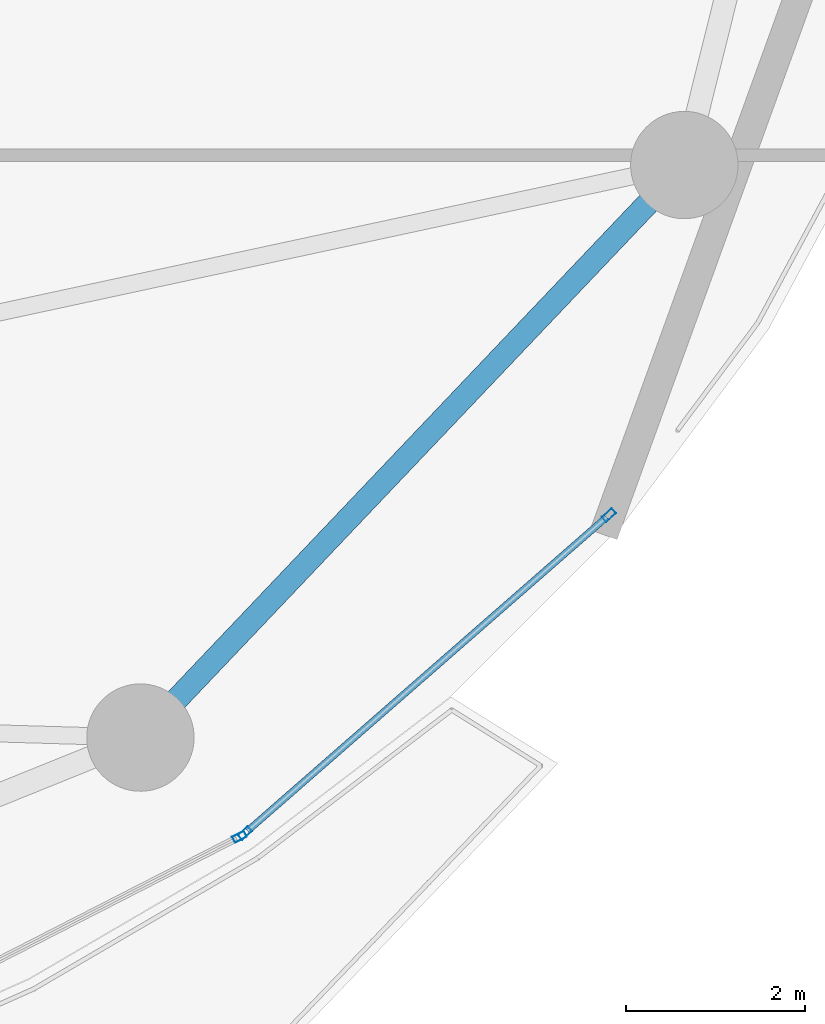
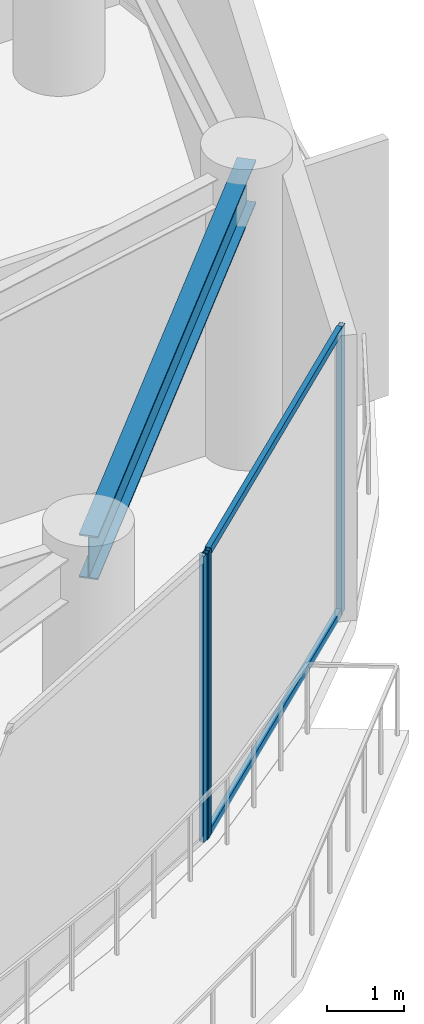
# One storey, part 13 of 30: 5 members, 1 beam, 2 elements without a shape of their own.
"""IFC4 building model written with IfcOpenShell, lengths in metres."""

from ifc_helpers import new_model, si_unit, direction, frame, origin, origin_2d, place, context, subcontext, project, spatial, hollow_rectangle, i_section, extrude, material, layer, layer_set, material_profile, profile_set, type_object, element, aggregate, save


model = new_model("IFC4")

# Units and contexts
model_context = context("Model", 3, precision=1e-05, world=origin(), true_north=direction((0.0, 1.0)))
body_context = subcontext(model_context, "Body", "Model", "MODEL_VIEW")
ifc_project = project(units=[si_unit("LENGTHUNIT", "METRE"), si_unit("AREAUNIT", "SQUARE_METRE"), si_unit("VOLUMEUNIT", "CUBIC_METRE"), si_unit("PLANEANGLEUNIT", "RADIAN"), si_unit("MASSUNIT", "GRAM", prefix="KILO")], contexts=[model_context])

# Site, building, storey
site_placement = place(None, origin())
site = spatial("IfcSite", under=ifc_project, at=site_placement, CompositionType="ELEMENT")
building_placement = place(site_placement, origin())
building = spatial("IfcBuilding", under=site, at=building_placement, Name="Kazevale Care Tower and Concert Hall", CompositionType="ELEMENT")
storey_placement = place(building_placement, frame((0.0, 0.0, 97.800048828125)))
storey = spatial("IfcBuildingStorey", under=building, at=storey_placement, Name="L25", CompositionType="ELEMENT", Elevation=97.800048828125)

# Curtain wall, members
ifc_material_1 = material(Name="Aluminium 6063-T6 and Low-E Glass", Category="aluminium")
ifc_layer = layer(ifc_material_1, 0.179931640625)
ifc_layer_set = layer_set([ifc_layer], Name="Aluminium 6063-T6 and Low-E Glass")
curtain_wall_type = type_object("IfcCurtainWallType", Name="Sheltered Concave Balcony Curtain Wall CW-5", PredefinedType="NOTDEFINED", material=ifc_layer_set)
curtain_wall_1_placement = place(storey_placement, origin())
curtain_wall_1 = element("IfcCurtainWall", 1, at=curtain_wall_1_placement, inside=storey, type_object=curtain_wall_type, Name="cw:L25:f02", PredefinedType="NOTDEFINED")
ifc_material_2 = material(Name="Aluminium 6063-T6", Category="aluminium")
ifc_material_profile_1 = material_profile(ifc_material_2, hollow_rectangle(XDim=0.074951171875, YDim=0.14990234375, WallThickness=0.00390625, at=origin_2d()), Name="ALU75x150x4")
ifc_profile_set_1 = profile_set([ifc_material_profile_1], Name="Aluminium 6063-T6")
member_type_1 = type_object("IfcMemberType", Name="CW-5 Mullion ALU75x150x4", PredefinedType="MULLION", material=ifc_profile_set_1)
member_1_placement = place(storey_placement, frame((70.06787109375, 25.477294921875, 0.0), z_axis=(0.0, 0.0, 1.0), x_axis=(0.657948668382, -0.753062779437, 0.0)))
member_1 = element("IfcMember", 2, at=member_1_placement, type_object=member_type_1, Name="CW-5 mullion 1", PredefinedType="MULLION", context=body_context, shape_type="SweptSolid", body=[
    extrude(hollow_rectangle(XDim=0.074951171875, YDim=0.14990234375, WallThickness=0.00390625, at=origin_2d()), origin(), (0.0, 0.0, 1.0), 4.56005859375),
])
member_2_placement = place(storey_placement, frame((65.999267578125, 21.922607421875, 0.0), z_axis=(0.0, 0.0, 1.0), x_axis=(0.657948668382, -0.753062779437, 0.0)))
member_2 = element("IfcMember", 3, at=member_2_placement, type_object=member_type_1, Name="CW-5 mullion 2", PredefinedType="MULLION", context=body_context, shape_type="SweptSolid", body=[
    extrude(hollow_rectangle(XDim=0.074951171875, YDim=0.14990234375, WallThickness=0.00390625, at=origin_2d()), origin(), (0.0, 0.0, 1.0), 4.56005859375),
])

# Curtain wall, member
curtain_wall_2_placement = place(storey_placement, origin())
curtain_wall_2 = element("IfcCurtainWall", 4, at=curtain_wall_2_placement, inside=storey, type_object=curtain_wall_type, Name="cw:L25:f03", PredefinedType="NOTDEFINED")
member_3_placement = place(storey_placement, frame((65.9375, 21.880859375, 0.0), z_axis=(0.0, 0.0, 1.0), x_axis=(0.455713236575, -0.890126646051, 0.0)))
member_3 = element("IfcMember", 5, at=member_3_placement, type_object=member_type_1, Name="CW-5 mullion 1", PredefinedType="MULLION", context=body_context, shape_type="SweptSolid", body=[
    extrude(hollow_rectangle(XDim=0.074951171875, YDim=0.14990234375, WallThickness=0.00390625, at=origin_2d()), origin(), (0.0, 0.0, 1.0), 4.56005859375),
])
aggregate(curtain_wall_2, [member_3])

# Member
ifc_material_profile_2 = material_profile(ifc_material_2, hollow_rectangle(XDim=0.074951171875, YDim=0.1201171875, WallThickness=0.00390625, at=origin_2d()), Name="ALU75x120x4")
ifc_profile_set_2 = profile_set([ifc_material_profile_2], Name="Aluminium 6063-T6")
member_type_2 = type_object("IfcMemberType", Name="CW-5 Transom ALU75x120x4", PredefinedType="USERDEFINED", material=ifc_profile_set_2)
member_4_placement = place(storey_placement, frame((70.03955078125, 25.45263671875, 0.037353515625), z_axis=(-0.753050570644, -0.657962641837, 0.0), x_axis=(0.657962641837, -0.753050570644, 0.0)))
member_4 = element("IfcMember", 6, at=member_4_placement, type_object=member_type_2, Name="CW-5 transom 1.1", ObjectType="TRANSOM", PredefinedType="USERDEFINED", context=body_context, shape_type="SweptSolid", body=[
    extrude(hollow_rectangle(XDim=0.074951171875, YDim=0.1201171875, WallThickness=0.00390625, at=origin_2d()), origin(), (0.0, 0.0, 1.0), 5.32763671875),
])

member_5_placement = place(storey_placement, frame((70.03955078125, 25.45263671875, 4.5224609375), z_axis=(-0.753050570644, -0.657962641837, 0.0), x_axis=(0.657962641837, -0.753050570644, 0.0)))
member_5 = element("IfcMember", 7, at=member_5_placement, type_object=member_type_2, Name="CW-5 transom 1.2", ObjectType="TRANSOM", PredefinedType="USERDEFINED", context=body_context, shape_type="SweptSolid", body=[
    extrude(hollow_rectangle(XDim=0.074951171875, YDim=0.1201171875, WallThickness=0.00390625, at=origin_2d()), origin(), (0.0, 0.0, 1.0), 5.32763671875),
])

aggregate(curtain_wall_1, [member_1, member_2, member_4, member_5])

# Beam
ifc_material_3 = material(Name="Steel ASTM A572 Gr 50", Category="steel")
ifc_material_profile_3 = material_profile(ifc_material_3, i_section(OverallWidth=0.256103515625, OverallDepth=0.693115234375, WebThickness=0.014404296875, FlangeThickness=0.023681640625, at=origin_2d()), Name="W690x170")
ifc_profile_set_3 = profile_set([ifc_material_profile_3], Name="Steel ASTM A572 Gr 50")
beam_type = type_object("IfcBeamType", Name="Waist Ring Beam W690x170", PredefinedType="BEAM", material=ifc_profile_set_3)
beam_placement = place(storey_placement, frame((64.830078125, 22.989990234375, 4.21337890625), z_axis=(0.688745100728, 0.725003576697, 0.0), x_axis=(-0.725003576697, 0.688745100728, 0.0)))
element("IfcBeam", 8, at=beam_placement, inside=storey, type_object=beam_type, Name="beam:L25:ring:15", PredefinedType="BEAM", context=body_context, shape_type="SweptSolid", body=[
    extrude(i_section(OverallWidth=0.256103515625, OverallDepth=0.693115234375, WebThickness=0.014404296875, FlangeThickness=0.023681640625, at=origin_2d()), origin(), (0.0, 0.0, 1.0), 8.827392578125),
])

save(model, "model.ifc")
